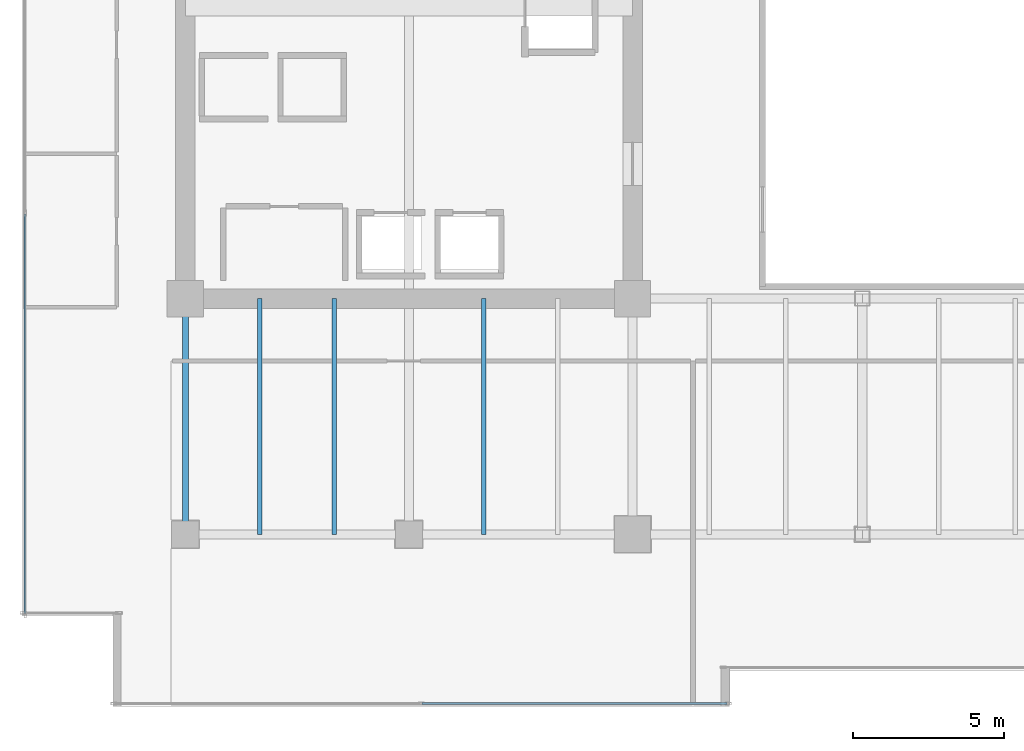
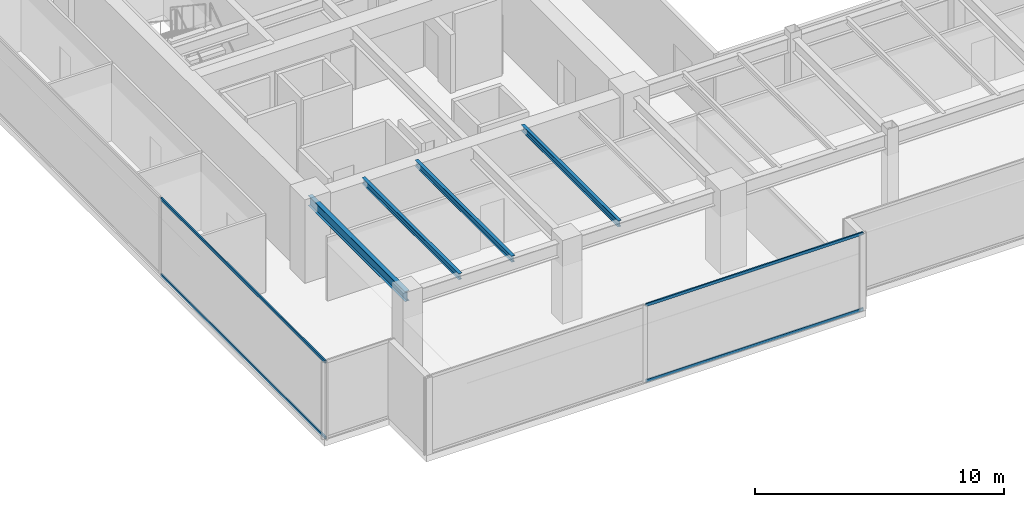
# One storey, part 3 of 33: 4 beams, 4 members, 2 elements without a shape of their own.
"""IFC4 building model written with IfcOpenShell, lengths in metres."""

from ifc_helpers import new_model, si_unit, direction, frame, origin, origin_2d, place, context, subcontext, project, spatial, hollow_rectangle, i_section, extrude, source, transform, mapped, material, layer, layer_set, material_profile, profile_set, type_object, type_shapes, element, aggregate, save


model = new_model("IFC4")

# Units and contexts
model_context = context("Model", 3, precision=1e-05, world=origin(), true_north=direction((0.0, 1.0)))
body_context = subcontext(model_context, "Body", "Model", "MODEL_VIEW")
ifc_project = project(units=[si_unit("LENGTHUNIT", "METRE"), si_unit("AREAUNIT", "SQUARE_METRE"), si_unit("VOLUMEUNIT", "CUBIC_METRE"), si_unit("PLANEANGLEUNIT", "RADIAN"), si_unit("MASSUNIT", "GRAM", prefix="KILO")], contexts=[model_context])

# Site, building, storey
site_placement = place(None, origin())
site = spatial("IfcSite", under=ifc_project, at=site_placement, CompositionType="ELEMENT")
building_placement = place(site_placement, origin())
building = spatial("IfcBuilding", under=site, at=building_placement, Name="Haelvirn Gate Laboratories", CompositionType="ELEMENT")
storey_placement = place(building_placement, frame((0.0, 0.0, 133.800048828125)))
storey = spatial("IfcBuildingStorey", under=building, at=storey_placement, Name="L32", CompositionType="ELEMENT", Elevation=133.800048828125)

# Beams
ifc_material_1 = material(Name="Steel SM355", Category="steel")
ifc_material_profile_1 = material_profile(ifc_material_1, i_section(OverallWidth=0.199951171875, OverallDepth=0.5, WebThickness=0.010009765625, FlangeThickness=0.01611328125, at=origin_2d()), Name="H-500x200x10x16")
ifc_profile_set_1 = profile_set([ifc_material_profile_1], Name="Steel SM355")
beam_type_1 = type_object("IfcBeamType", Name="BM-SP-500", PredefinedType="SPANDREL", material=ifc_profile_set_1)
shared_shape_1 = source(origin(), body_context, "Body", "SweptSolid", [
    extrude(i_section(OverallWidth=0.199951171875, OverallDepth=0.5, WebThickness=0.010009765625, FlangeThickness=0.01611328125, at=origin_2d()), origin(), (0.0, 0.0, 1.0), 7.800048828125),
])
type_shapes(beam_type_1, [shared_shape_1])
beam_placement = place(storey_placement, frame((7.39990234375, 7.0, 3.5400390625), z_axis=(0.0, 1.0, 0.0), x_axis=(-1.0, 0.0, 0.0)))
element("IfcBeam", 1, at=beam_placement, inside=storey, type_object=beam_type_1, Name="L32 Perimeter Spandrel X7.4 (7.0-14.8)", PredefinedType="SPANDREL", context=body_context, shape_type="MappedRepresentation", body=[
    mapped(shared_shape_1, transform((0.0, 0.0, 0.0), scale=1.0)),
])
ifc_material_profile_2 = material_profile(ifc_material_1, i_section(OverallWidth=0.14990234375, OverallDepth=0.300048828125, WebThickness=0.006591796875, FlangeThickness=0.009033203125, at=origin_2d()), Name="H-300x150x6.5x9")
ifc_profile_set_2 = profile_set([ifc_material_profile_2], Name="Steel SM355")
beam_type_2 = type_object("IfcBeamType", Name="BM-J-300", PredefinedType="JOIST", material=ifc_profile_set_2)
shared_shape_2 = source(origin(), body_context, "Body", "SweptSolid", [
    extrude(i_section(OverallWidth=0.14990234375, OverallDepth=0.300048828125, WebThickness=0.006591796875, FlangeThickness=0.009033203125, at=origin_2d()), origin(), (0.0, 0.0, 1.0), 7.800048828125),
])
type_shapes(beam_type_2, [shared_shape_2])
for number, where, z_axis, x_axis, name in (
    (2, (9.8701171875, 7.0, 3.639892578125), (0.0, 1.0, 0.0), (-1.0, 0.0, 0.0), "L32 Composite Lab Joist South X9.87"),
    (3, (12.330078125, 7.0, 3.639892578125), (0.0, 1.0, 0.0), (-1.0, 0.0, 0.0), "L32 Composite Lab Joist South X12.33"),
    (4, (17.27001953125, 7.0, 3.639892578125), (0.0, 1.0, 0.0), (-1.0, 0.0, 0.0), "L32 Composite Lab Joist South X17.27"),
):
    element("IfcBeam", number, at=place(storey_placement, frame(where, z_axis=z_axis, x_axis=x_axis)), inside=storey, type_object=beam_type_2, Name=name, PredefinedType="JOIST", context=body_context, shape_type="MappedRepresentation", body=[
        mapped(shared_shape_2, transform((0.0, 0.0, 0.0), scale=1.0)),
    ])

# Curtain wall, members
ifc_material_2 = material(Name="Anodised bronze unitised aluminium & triple low-E glass", Category="aluminium")
ifc_layer = layer(ifc_material_2, 0.179931640625, Name="CW-SYS-3")
ifc_layer_set = layer_set([ifc_layer], Name="Anodised bronze unitised aluminium & triple low-E glass")
curtain_wall_type = type_object("IfcCurtainWallType", Name="CW-SYS-3", PredefinedType="NOTDEFINED", material=ifc_layer_set)
curtain_wall_1_placement = place(storey_placement, origin())
curtain_wall_1 = element("IfcCurtainWall", 5, at=curtain_wall_1_placement, inside=storey, type_object=curtain_wall_type, Name="L32 Unitised Curtain Wall CW-L32-P0-E00-1", PredefinedType="NOTDEFINED")
ifc_material_3 = material(Name="Extruded aluminium 6063-T6 (anodised bronze)", Category="aluminium")
ifc_material_profile_3 = material_profile(ifc_material_3, hollow_rectangle(XDim=0.06494140625, YDim=0.139892578125, WallThickness=0.00390625, at=origin_2d()), Name="CWT-140x65x4")
ifc_profile_set_3 = profile_set([ifc_material_profile_3], Name="Extruded aluminium 6063-T6 (anodised bronze)")
member_type = type_object("IfcMemberType", Name="CWT-T140", PredefinedType="USERDEFINED", material=ifc_profile_set_3)
shared_shape_3 = source(origin(), body_context, "Body", "SweptSolid", [
    extrude(hollow_rectangle(XDim=0.06494140625, YDim=0.139892578125, WallThickness=0.00390625, at=origin_2d()), origin(), (0.0, 0.0, 1.0), 10.08740234375),
])
member_1_placement = place(storey_placement, frame((15.237548828125, 1.39990234375, 0.032470703125), z_axis=(1.0, 0.0, 0.0), x_axis=(0.0, 1.0, 0.0)))
member_1 = element("IfcMember", 6, at=member_1_placement, type_object=member_type, Name="CW3 transom 2.1", ObjectType="TRANSOM", PredefinedType="USERDEFINED", context=body_context, shape_type="MappedRepresentation", body=[
    mapped(shared_shape_3, transform((0.0, 0.0, 0.0), scale=1.0)),
])
member_2_placement = place(storey_placement, frame((15.237548828125, 1.39990234375, 3.757568359375), z_axis=(1.0, 0.0, 0.0), x_axis=(0.0, 1.0, 0.0)))
member_2 = element("IfcMember", 7, at=member_2_placement, type_object=member_type, Name="CW3 transom 2.2", ObjectType="TRANSOM", PredefinedType="USERDEFINED", context=body_context, shape_type="MappedRepresentation", body=[
    mapped(shared_shape_3, transform((0.0, 0.0, 0.0), scale=1.0)),
])
aggregate(curtain_wall_1, [member_1, member_2])

curtain_wall_2_placement = place(storey_placement, origin())
curtain_wall_2 = element("IfcCurtainWall", 8, at=curtain_wall_2_placement, inside=storey, type_object=curtain_wall_type, Name="L32 Unitised Curtain Wall CW-L32-P0-E17", PredefinedType="NOTDEFINED")
shared_shape_4 = source(origin(), body_context, "Body", "SweptSolid", [
    extrude(hollow_rectangle(XDim=0.06494140625, YDim=0.139892578125, WallThickness=0.00390625, at=origin_2d()), origin(), (0.0, 0.0, 1.0), 13.220947265625),
])
type_shapes(member_type, [shared_shape_3, shared_shape_4])
member_3_placement = place(storey_placement, frame((2.10009765625, 17.595947265625, 0.032470703125), z_axis=(0.0, -1.0, 0.0), x_axis=(1.0, 0.0, 0.0)))
member_3 = element("IfcMember", 9, at=member_3_placement, type_object=member_type, Name="CW3 transom 3.1", ObjectType="TRANSOM", PredefinedType="USERDEFINED", context=body_context, shape_type="MappedRepresentation", body=[
    mapped(shared_shape_4, transform((0.0, 0.0, 0.0), scale=1.0)),
])
member_4_placement = place(storey_placement, frame((2.10009765625, 17.595947265625, 3.757568359375), z_axis=(0.0, -1.0, 0.0), x_axis=(1.0, 0.0, 0.0)))
member_4 = element("IfcMember", 10, at=member_4_placement, type_object=member_type, Name="CW3 transom 3.2", ObjectType="TRANSOM", PredefinedType="USERDEFINED", context=body_context, shape_type="MappedRepresentation", body=[
    mapped(shared_shape_4, transform((0.0, 0.0, 0.0), scale=1.0)),
])
aggregate(curtain_wall_2, [member_3, member_4])

save(model, "model.ifc")
